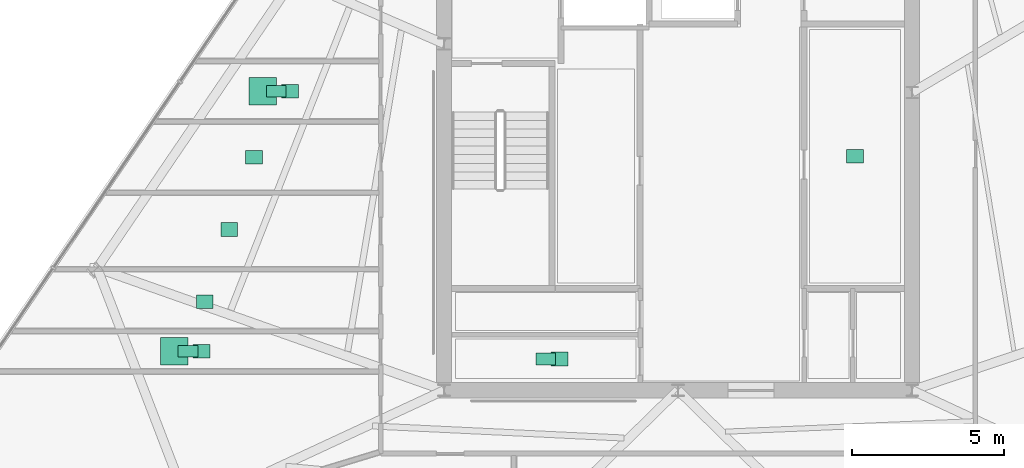
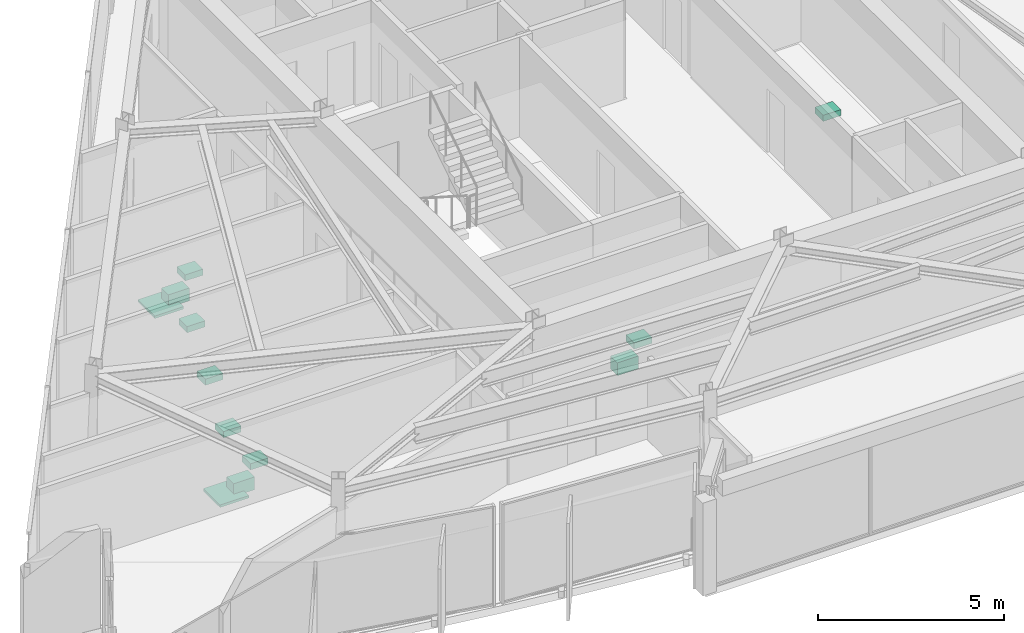
# One storey, part 14 of 14: 12 sanitary terminals.
"""IFC4 building model written with IfcOpenShell, lengths in metres."""

from ifc_helpers import new_model, si_unit, direction, frame, origin, origin_2d, place, context, subcontext, project, spatial, rectangle, extrude, material, type_object, element, save


model = new_model("IFC4")

# Units and contexts
model_context = context("Model", 3, precision=1e-05, world=origin(), true_north=direction((0.0, 1.0)))
body_context = subcontext(model_context, "Body", "Model", "MODEL_VIEW")
ifc_project = project(units=[si_unit("LENGTHUNIT", "METRE"), si_unit("AREAUNIT", "SQUARE_METRE"), si_unit("VOLUMEUNIT", "CUBIC_METRE"), si_unit("PLANEANGLEUNIT", "RADIAN"), si_unit("MASSUNIT", "GRAM", prefix="KILO")], contexts=[model_context])

# Site, building, storey
site_placement = place(None, origin())
site = spatial("IfcSite", under=ifc_project, at=site_placement, CompositionType="ELEMENT")
building_placement = place(site_placement, origin())
building = spatial("IfcBuilding", under=site, at=building_placement, Name="Savorim Split Tower", CompositionType="ELEMENT")
storey_placement = place(building_placement, frame((0.0, 0.0, 237.89990234375)))
storey = spatial("IfcBuildingStorey", under=building, at=storey_placement, Name="L63", CompositionType="ELEMENT", Elevation=237.89990234375)

# Sanitary terminals
ifc_material = material(Name="Vitreous China Sanitaryware")
sanitary_terminal_type_1 = type_object("IfcSanitaryTerminalType", Name="SAN-SHW-900", PredefinedType="SHOWER", material=ifc_material)
for number, where, z_axis, x_axis, name in (
    (1, (-16.577392578125, -8.117431640625, 0.0), (0.0, 0.0, 1.0), (1.0, 0.0, 0.0), "L63 Shared Bathroom Shower"),
    (2, (-13.667724609375, 0.4375, 0.0), (0.0, 0.0, 1.0), (1.0, 0.0, 0.0), "L63 Shared Bathroom Shower"),
):
    element("IfcSanitaryTerminal", number, at=place(storey_placement, frame(where, z_axis=z_axis, x_axis=x_axis)), inside=storey, type_object=sanitary_terminal_type_1, Name=name, PredefinedType="SHOWER", context=body_context, shape_type="SweptSolid", body=[
        extrude(rectangle(XDim=0.89990234375, YDim=0.89990234375, at=origin_2d()), origin(), (0.0, 0.0, 1.0), 0.080078125),
    ])
sanitary_terminal_type_2 = type_object("IfcSanitaryTerminalType", Name="SAN-WC-PAN", PredefinedType="TOILETPAN", material=ifc_material)
for number, where, z_axis, x_axis, name in (
    (3, (-4.35009765625, -8.3701171875, 0.000244140625), (0.0, 0.0, 1.0), (1.0, 0.0, 0.0), "L63 Public WC WC Pan"),
    (4, (-16.12744140625, -8.117431640625, 0.000244140625), (0.0, 0.0, 1.0), (1.0, 0.0, 0.0), "L63 Shared Bathroom WC Pan"),
    (5, (-13.2177734375, 0.4375, 0.000244140625), (0.0, 0.0, 1.0), (1.0, 0.0, 0.0), "L63 Shared Bathroom WC Pan"),
):
    element("IfcSanitaryTerminal", number, at=place(storey_placement, frame(where, z_axis=z_axis, x_axis=x_axis)), inside=storey, type_object=sanitary_terminal_type_2, Name=name, PredefinedType="TOILETPAN", context=body_context, shape_type="SweptSolid", body=[
        extrude(rectangle(XDim=0.64990234375, YDim=0.3798828125, at=origin_2d()), origin(), (0.0, 0.0, 1.0), 0.419921875),
    ])
sanitary_terminal_type_3 = type_object("IfcSanitaryTerminalType", Name="SAN-WHB-550", PredefinedType="WASHHANDBASIN", material=ifc_material)
for number, where, z_axis, x_axis, name in (
    (6, (5.824951171875, -1.699951171875, 0.75), (0.0, 0.0, 1.0), (1.0, 0.0, 0.0), "L63 Community Laundry Room Utility Sink"),
    (7, (-3.89990234375, -8.3701171875, 0.72021484375), (0.0, 0.0, 1.0), (1.0, 0.0, 0.0), "L63 Public WC Washhand Basin"),
    (8, (-13.95458984375, -1.728759765625, 0.75), (0.0, 0.0, 1.0), (1.0, 0.0, 0.0), "L63 Shared Kitchen Utility Sink"),
    (9, (-14.763916015625, -4.10888671875, 0.75), (0.0, 0.0, 1.0), (1.0, 0.0, 0.0), "L63 Community Laundry Room Utility Sink"),
    (10, (-15.57275390625, -6.486328125, 0.75), (0.0, 0.0, 1.0), (1.0, 0.0, 0.0), "L63 Community Laundry Room Utility Sink"),
    (11, (-15.677490234375, -8.117431640625, 0.72021484375), (0.0, 0.0, 1.0), (1.0, 0.0, 0.0), "L63 Shared Bathroom Washhand Basin"),
    (12, (-12.767578125, 0.4375, 0.72021484375), (0.0, 0.0, 1.0), (1.0, 0.0, 0.0), "L63 Shared Bathroom Washhand Basin"),
):
    element("IfcSanitaryTerminal", number, at=place(storey_placement, frame(where, z_axis=z_axis, x_axis=x_axis)), inside=storey, type_object=sanitary_terminal_type_3, Name=name, PredefinedType="WASHHANDBASIN", context=body_context, shape_type="SweptSolid", body=[
        extrude(rectangle(XDim=0.550048828125, YDim=0.449951171875, at=origin_2d()), origin(), (0.0, 0.0, 1.0), 0.199951171875),
    ])

save(model, "model.ifc")
